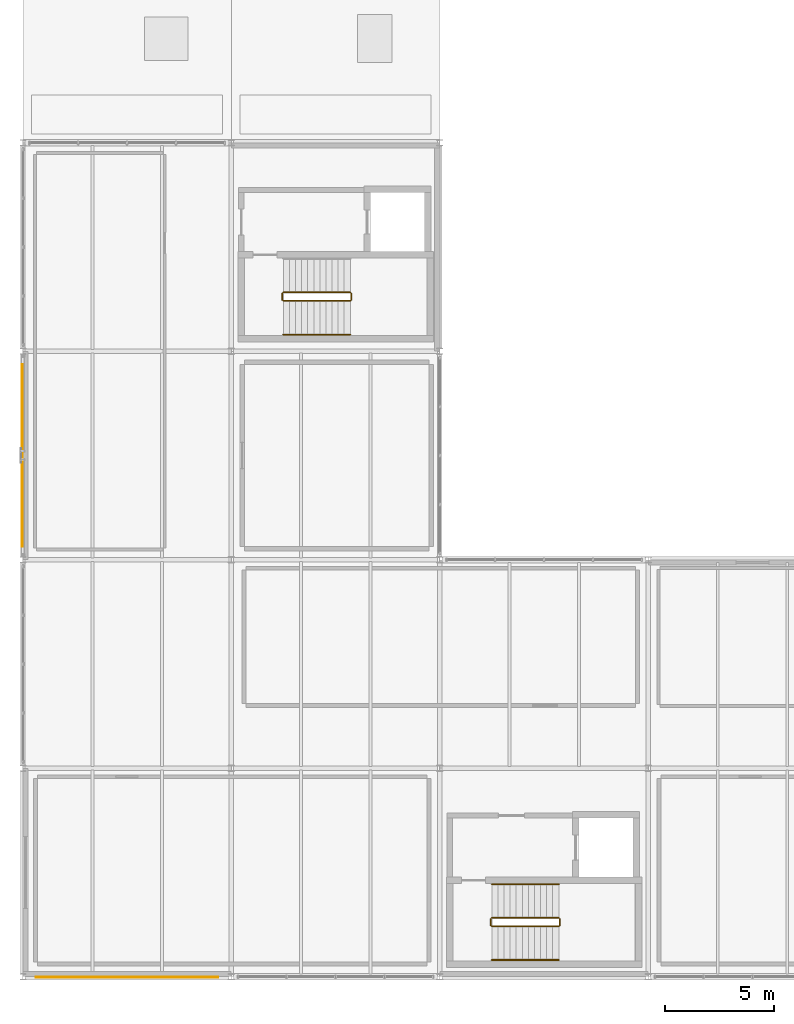
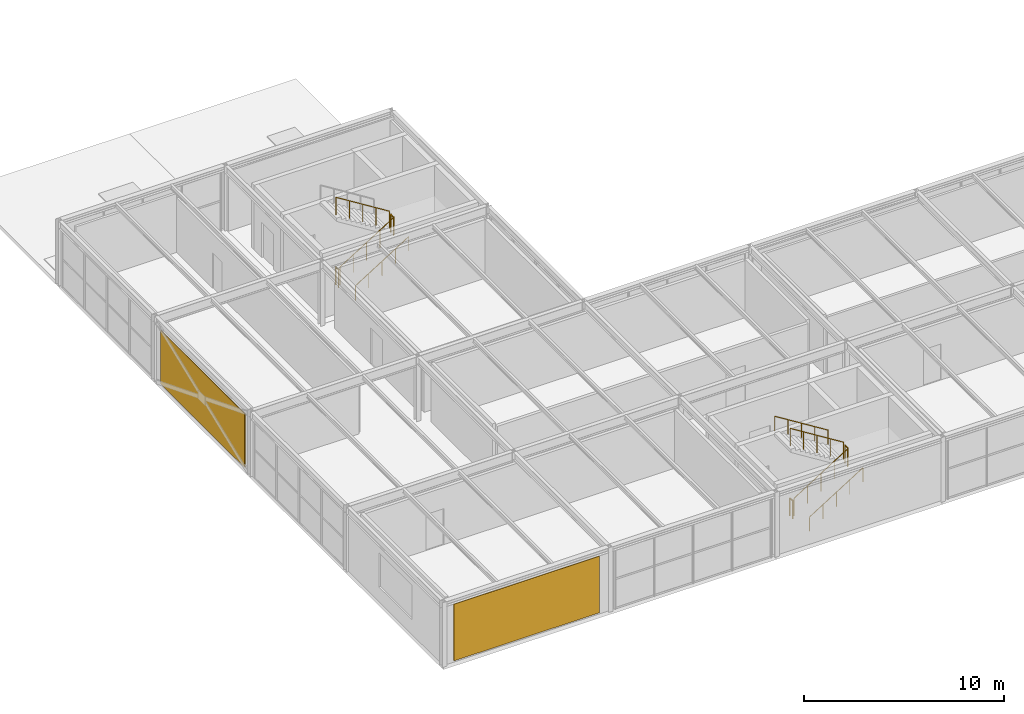
# One storey, part 37 of 39: 11 railings, 2 coverings.
"""IFC4 building model written with IfcOpenShell, lengths in metres."""

from ifc_helpers import new_model, si_unit, direction, frame, origin, origin_2d, place, context, subcontext, project, spatial, rectangle, circle, extrude, material, layer, layer_set, type_object, element, save


model = new_model("IFC4")

# Units and contexts
model_context = context("Model", 3, precision=1e-05, world=origin(), true_north=direction((0.0, 1.0)))
body_context = subcontext(model_context, "Body", "Model", "MODEL_VIEW")
ifc_project = project(units=[si_unit("LENGTHUNIT", "METRE"), si_unit("AREAUNIT", "SQUARE_METRE"), si_unit("VOLUMEUNIT", "CUBIC_METRE"), si_unit("PLANEANGLEUNIT", "RADIAN"), si_unit("MASSUNIT", "GRAM", prefix="KILO")], contexts=[model_context])

# Site, building, storey
site_placement = place(None, origin())
site = spatial("IfcSite", under=ifc_project, at=site_placement, CompositionType="ELEMENT")
building_placement = place(site_placement, origin())
building = spatial("IfcBuilding", under=site, at=building_placement, Name="Coralgate Yard Interchange", CompositionType="ELEMENT")
storey_placement = place(building_placement, frame((0.0, 0.0, 18.89990234375)))
storey = spatial("IfcBuildingStorey", under=building, at=storey_placement, Name="L04", CompositionType="ELEMENT", Elevation=18.89990234375)

# Coverings
ifc_material_1 = material(Name="Coral-buff architectural terracotta rainscreen cladding", Category="masonry")
ifc_layer = layer(ifc_material_1, 0.0400390625)
ifc_layer_set = layer_set([ifc_layer], Name="Coral-buff architectural terracotta rainscreen cladding")
covering_type = type_object("IfcCoveringType", Name="COV-CLD1", PredefinedType="CLADDING", material=ifc_layer_set)
covering_1_placement = place(storey_placement, frame((4.800048828125, -0.02001953125, 0.10009765625), z_axis=(0.0, 0.0, 1.0), x_axis=(-1.0, 0.0, 0.0)))
element("IfcCovering", 1, at=covering_1_placement, inside=storey, type_object=covering_type, Name="L04 coastal terracotta cladding panel S-0-0", PredefinedType="CLADDING", context=body_context, shape_type="SweptSolid", body=[
    extrude(rectangle(XDim=8.39990234375, YDim=0.0400390625, at=origin_2d()), origin(), (0.0, 0.0, 1.0), 3.4599609375),
])
covering_2_placement = place(storey_placement, frame((-0.02001953125, 24.0, 0.10009765625), z_axis=(0.0, 0.0, 1.0), x_axis=(0.0, 1.0, 0.0)))
element("IfcCovering", 2, at=covering_2_placement, inside=storey, type_object=covering_type, Name="L04 coastal terracotta cladding panel W-0-2", PredefinedType="CLADDING", context=body_context, shape_type="SweptSolid", body=[
    extrude(rectangle(XDim=8.39990234375, YDim=0.0400390625, at=origin_2d()), origin(), (0.0, 0.0, 1.0), 3.29296875),
])

# Railings
ifc_material_2 = material(Name="Grade 316 marine stainless steel and toughened glass balustrade", Category="steel")
railing_type_1 = type_object("IfcRailingType", Name="RLG-GD1100", PredefinedType="BALUSTRADE", material=ifc_material_2)
railing_1_placement = place(storey_placement, frame((12.0, 31.1201171875, 0.175048828125)))
element("IfcRailing", 3, at=railing_1_placement, inside=storey, type_object=railing_type_1, Name="L04 ST-01 stair guard 1", PredefinedType="BALUSTRADE", context=body_context, shape_type="SweptSolid", body=[
    extrude(circle(Radius=0.02392578125, at=origin_2d()), frame((0.0, 0.0, 1.076171875), z_axis=(0.847998304005, 0.0, 0.529998940003), x_axis=(0.0, 1.0, 0.0)), (0.0, 0.0, 1.0), 3.632080078125),
    extrude(circle(Radius=0.02099609375, at=origin_2d()), origin(), (0.0, 0.0, 1.0), 1.051513671875),
    extrude(circle(Radius=0.02099609375, at=origin_2d()), frame((0.77001953125, 0.0, 0.481201171875)), (0.0, 0.0, 1.0), 1.051513671875),
    extrude(circle(Radius=0.02099609375, at=origin_2d()), frame((1.5400390625, 0.0, 0.96240234375)), (0.0, 0.0, 1.0), 1.051513671875),
    extrude(circle(Radius=0.02099609375, at=origin_2d()), frame((2.31005859375, 0.0, 1.44384765625)), (0.0, 0.0, 1.0), 1.051513671875),
    extrude(circle(Radius=0.02099609375, at=origin_2d()), frame((3.080078125, 0.0, 1.925048828125)), (0.0, 0.0, 1.0), 1.051513671875),
])
railing_2_placement = place(storey_placement, frame((15.1298828125, 31.169921875, 2.10009765625)))
element("IfcRailing", 4, at=railing_2_placement, inside=storey, type_object=railing_type_1, Name="L04 ST-01 stair guard 2", PredefinedType="BALUSTRADE", context=body_context, shape_type="SweptSolid", body=[
    extrude(circle(Radius=0.02392578125, at=origin_2d()), frame((0.0, 0.0, 1.076171875), z_axis=(0.0, 1.0, 0.0), x_axis=(-1.0, 0.0, 0.0)), (0.0, 0.0, 1.0), 0.2900390625),
    extrude(circle(Radius=0.02099609375, at=origin_2d()), origin(), (0.0, 0.0, 1.0), 1.051513671875),
    extrude(circle(Radius=0.02099609375, at=origin_2d()), frame((0.0, 0.2900390625, 0.0)), (0.0, 0.0, 1.0), 1.051513671875),
])
railing_3_placement = place(storey_placement, frame((15.080078125, 31.510009765625, 2.275146484375)))
element("IfcRailing", 5, at=railing_3_placement, inside=storey, type_object=railing_type_1, Name="L04 ST-01 stair guard 3", PredefinedType="BALUSTRADE", context=body_context, shape_type="SweptSolid", body=[
    extrude(circle(Radius=0.02392578125, at=origin_2d()), frame((0.0, 0.0, 1.076171875), z_axis=(-0.847998304005, 0.0, 0.529998940003), x_axis=(0.0, -1.0, 0.0)), (0.0, 0.0, 1.0), 3.632080078125),
    extrude(circle(Radius=0.02099609375, at=origin_2d()), origin(), (0.0, 0.0, 1.0), 1.051513671875),
    extrude(circle(Radius=0.02099609375, at=origin_2d()), frame((-0.77001953125, 0.0, 0.481201171875)), (0.0, 0.0, 1.0), 1.051513671875),
    extrude(circle(Radius=0.02099609375, at=origin_2d()), frame((-1.5400390625, 0.0, 0.96240234375)), (0.0, 0.0, 1.0), 1.051513671875),
    extrude(circle(Radius=0.02099609375, at=origin_2d()), frame((-2.31005859375, 0.0, 1.44384765625)), (0.0, 0.0, 1.0), 1.051513671875),
    extrude(circle(Radius=0.02099609375, at=origin_2d()), frame((-3.080078125, 0.0, 1.925048828125)), (0.0, 0.0, 1.0), 1.051513671875),
])
railing_4_placement = place(storey_placement, frame((11.949951171875, 31.169921875, 0.0)))
element("IfcRailing", 6, at=railing_4_placement, inside=storey, type_object=railing_type_1, Name="L04 ST-01 stair guard 4", PredefinedType="BALUSTRADE", context=body_context, shape_type="SweptSolid", body=[
    extrude(circle(Radius=0.02392578125, at=origin_2d()), frame((0.0, 0.0, 1.076171875), z_axis=(0.0, 1.0, 0.0), x_axis=(-1.0, 0.0, 0.0)), (0.0, 0.0, 1.0), 0.2900390625),
    extrude(circle(Radius=0.02099609375, at=origin_2d()), origin(), (0.0, 0.0, 1.0), 1.051513671875),
    extrude(circle(Radius=0.02099609375, at=origin_2d()), frame((0.0, 0.2900390625, 0.0)), (0.0, 0.0, 1.0), 1.051513671875),
])
railing_5_placement = place(storey_placement, frame((21.60009765625, 2.320068359375, 0.175048828125)))
element("IfcRailing", 7, at=railing_5_placement, inside=storey, type_object=railing_type_1, Name="L04 ST-03 stair guard 1", PredefinedType="BALUSTRADE", context=body_context, shape_type="SweptSolid", body=[
    extrude(circle(Radius=0.02392578125, at=origin_2d()), frame((0.0, 0.0, 1.076171875), z_axis=(0.847979421464, 0.0, 0.530029150871), x_axis=(0.0, 1.0, 0.0)), (0.0, 0.0, 1.0), 3.632080078125),
    extrude(circle(Radius=0.02099609375, at=origin_2d()), origin(), (0.0, 0.0, 1.0), 1.051513671875),
    extrude(circle(Radius=0.02099609375, at=origin_2d()), frame((0.77001953125, 0.0, 0.481201171875)), (0.0, 0.0, 1.0), 1.051513671875),
    extrude(circle(Radius=0.02099609375, at=origin_2d()), frame((1.5400390625, 0.0, 0.96240234375)), (0.0, 0.0, 1.0), 1.051513671875),
    extrude(circle(Radius=0.02099609375, at=origin_2d()), frame((2.309814453125, 0.0, 1.44384765625)), (0.0, 0.0, 1.0), 1.051513671875),
    extrude(circle(Radius=0.02099609375, at=origin_2d()), frame((3.079833984375, 0.0, 1.925048828125)), (0.0, 0.0, 1.0), 1.051513671875),
])
railing_6_placement = place(storey_placement, frame((24.72998046875, 2.3701171875, 2.10009765625)))
element("IfcRailing", 8, at=railing_6_placement, inside=storey, type_object=railing_type_1, Name="L04 ST-03 stair guard 2", PredefinedType="BALUSTRADE", context=body_context, shape_type="SweptSolid", body=[
    extrude(circle(Radius=0.02392578125, at=origin_2d()), frame((0.0, 0.0, 1.076171875), z_axis=(0.0, 1.0, 0.0), x_axis=(-1.0, 0.0, 0.0)), (0.0, 0.0, 1.0), 0.289794921875),
    extrude(circle(Radius=0.02099609375, at=origin_2d()), origin(), (0.0, 0.0, 1.0), 1.051513671875),
    extrude(circle(Radius=0.02099609375, at=origin_2d()), frame((0.0, 0.289794921875, 0.0)), (0.0, 0.0, 1.0), 1.051513671875),
])
railing_7_placement = place(storey_placement, frame((24.679931640625, 2.7099609375, 2.275146484375)))
element("IfcRailing", 9, at=railing_7_placement, inside=storey, type_object=railing_type_1, Name="L04 ST-03 stair guard 3", PredefinedType="BALUSTRADE", context=body_context, shape_type="SweptSolid", body=[
    extrude(circle(Radius=0.02392578125, at=origin_2d()), frame((0.0, 0.0, 1.076171875), z_axis=(-0.847979421464, 0.0, 0.530029150871), x_axis=(0.0, -1.0, 0.0)), (0.0, 0.0, 1.0), 3.632080078125),
    extrude(circle(Radius=0.02099609375, at=origin_2d()), origin(), (0.0, 0.0, 1.0), 1.051513671875),
    extrude(circle(Radius=0.02099609375, at=origin_2d()), frame((-0.77001953125, 0.0, 0.481201171875)), (0.0, 0.0, 1.0), 1.051513671875),
    extrude(circle(Radius=0.02099609375, at=origin_2d()), frame((-1.5400390625, 0.0, 0.96240234375)), (0.0, 0.0, 1.0), 1.051513671875),
    extrude(circle(Radius=0.02099609375, at=origin_2d()), frame((-2.309814453125, 0.0, 1.44384765625)), (0.0, 0.0, 1.0), 1.051513671875),
    extrude(circle(Radius=0.02099609375, at=origin_2d()), frame((-3.079833984375, 0.0, 1.925048828125)), (0.0, 0.0, 1.0), 1.051513671875),
])
railing_8_placement = place(storey_placement, frame((21.550048828125, 2.3701171875, 0.0)))
element("IfcRailing", 10, at=railing_8_placement, inside=storey, type_object=railing_type_1, Name="L04 ST-03 stair guard 4", PredefinedType="BALUSTRADE", context=body_context, shape_type="SweptSolid", body=[
    extrude(circle(Radius=0.02392578125, at=origin_2d()), frame((0.0, 0.0, 1.076171875), z_axis=(0.0, 1.0, 0.0), x_axis=(-1.0, 0.0, 0.0)), (0.0, 0.0, 1.0), 0.289794921875),
    extrude(circle(Radius=0.02099609375, at=origin_2d()), origin(), (0.0, 0.0, 1.0), 1.051513671875),
    extrude(circle(Radius=0.02099609375, at=origin_2d()), frame((0.0, 0.289794921875, 0.0)), (0.0, 0.0, 1.0), 1.051513671875),
])
ifc_material_3 = material(Name="Grade 316 marine stainless steel", Category="steel")
railing_type_2 = type_object("IfcRailingType", Name="RLG-HR900", PredefinedType="HANDRAIL", material=ifc_material_3)
railing_9_placement = place(storey_placement, frame((12.0, 29.570068359375, 0.175048828125)))
element("IfcRailing", 11, at=railing_9_placement, inside=storey, type_object=railing_type_2, Name="L04 ST-01 stair handrail 1", PredefinedType="HANDRAIL", context=body_context, shape_type="SweptSolid", body=[
    extrude(circle(Radius=0.02392578125, at=origin_2d()), frame((0.0, 0.0, 0.8759765625), z_axis=(0.847998304005, 0.0, 0.529998940003), x_axis=(0.0, 1.0, 0.0)), (0.0, 0.0, 1.0), 3.632080078125),
    extrude(circle(Radius=0.02099609375, at=origin_2d()), origin(), (0.0, 0.0, 1.0), 0.851318359375),
    extrude(circle(Radius=0.02099609375, at=origin_2d()), frame((0.77001953125, 0.0, 0.481201171875)), (0.0, 0.0, 1.0), 0.851318359375),
    extrude(circle(Radius=0.02099609375, at=origin_2d()), frame((1.5400390625, 0.0, 0.96240234375)), (0.0, 0.0, 1.0), 0.851318359375),
    extrude(circle(Radius=0.02099609375, at=origin_2d()), frame((2.31005859375, 0.0, 1.44384765625)), (0.0, 0.0, 1.0), 0.851318359375),
    extrude(circle(Radius=0.02099609375, at=origin_2d()), frame((3.080078125, 0.0, 1.925048828125)), (0.0, 0.0, 1.0), 0.851318359375),
])
railing_10_placement = place(storey_placement, frame((21.60009765625, 0.77001953125, 0.175048828125)))
element("IfcRailing", 12, at=railing_10_placement, inside=storey, type_object=railing_type_2, Name="L04 ST-03 stair handrail 1", PredefinedType="HANDRAIL", context=body_context, shape_type="SweptSolid", body=[
    extrude(circle(Radius=0.02392578125, at=origin_2d()), frame((0.0, 0.0, 0.8759765625), z_axis=(0.847979421464, 0.0, 0.530029150871), x_axis=(0.0, 1.0, 0.0)), (0.0, 0.0, 1.0), 3.632080078125),
    extrude(circle(Radius=0.02099609375, at=origin_2d()), origin(), (0.0, 0.0, 1.0), 0.851318359375),
    extrude(circle(Radius=0.02099609375, at=origin_2d()), frame((0.77001953125, 0.0, 0.481201171875)), (0.0, 0.0, 1.0), 0.851318359375),
    extrude(circle(Radius=0.02099609375, at=origin_2d()), frame((1.5400390625, 0.0, 0.96240234375)), (0.0, 0.0, 1.0), 0.851318359375),
    extrude(circle(Radius=0.02099609375, at=origin_2d()), frame((2.309814453125, 0.0, 1.44384765625)), (0.0, 0.0, 1.0), 0.851318359375),
    extrude(circle(Radius=0.02099609375, at=origin_2d()), frame((3.079833984375, 0.0, 1.925048828125)), (0.0, 0.0, 1.0), 0.851318359375),
])
railing_11_placement = place(storey_placement, frame((24.679931640625, 4.260009765625, 2.275146484375)))
element("IfcRailing", 13, at=railing_11_placement, inside=storey, type_object=railing_type_2, Name="L04 ST-03 stair handrail 2", PredefinedType="HANDRAIL", context=body_context, shape_type="SweptSolid", body=[
    extrude(circle(Radius=0.02392578125, at=origin_2d()), frame((0.0, 0.0, 0.8759765625), z_axis=(-0.847979421464, 0.0, 0.530029150871), x_axis=(0.0, -1.0, 0.0)), (0.0, 0.0, 1.0), 3.632080078125),
    extrude(circle(Radius=0.02099609375, at=origin_2d()), origin(), (0.0, 0.0, 1.0), 0.851318359375),
    extrude(circle(Radius=0.02099609375, at=origin_2d()), frame((-0.77001953125, 0.0, 0.481201171875)), (0.0, 0.0, 1.0), 0.851318359375),
    extrude(circle(Radius=0.02099609375, at=origin_2d()), frame((-1.5400390625, 0.0, 0.96240234375)), (0.0, 0.0, 1.0), 0.851318359375),
    extrude(circle(Radius=0.02099609375, at=origin_2d()), frame((-2.309814453125, 0.0, 1.44384765625)), (0.0, 0.0, 1.0), 0.851318359375),
    extrude(circle(Radius=0.02099609375, at=origin_2d()), frame((-3.079833984375, 0.0, 1.925048828125)), (0.0, 0.0, 1.0), 0.851318359375),
])

save(model, "model.ifc")
